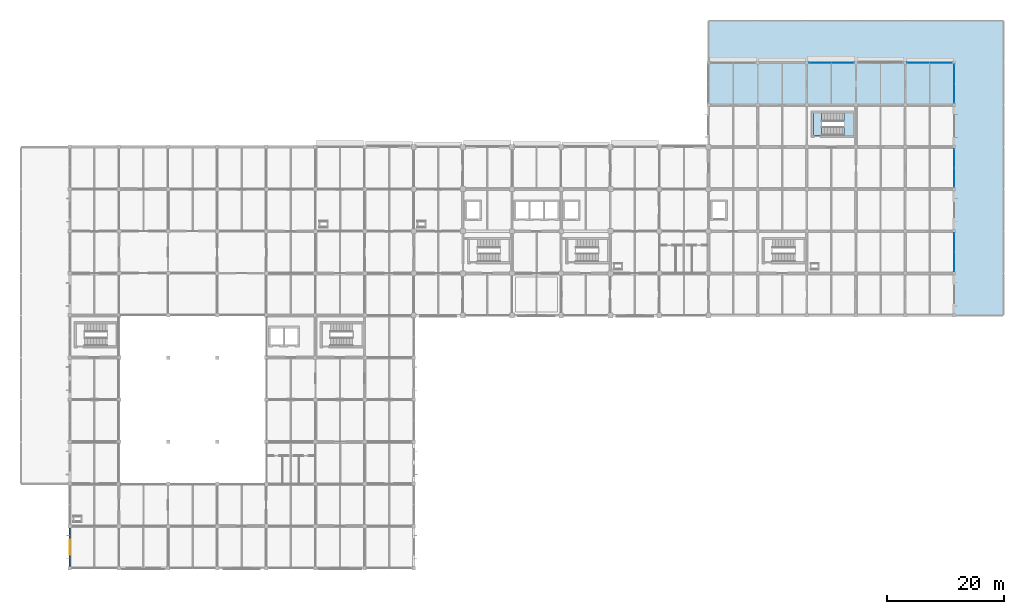
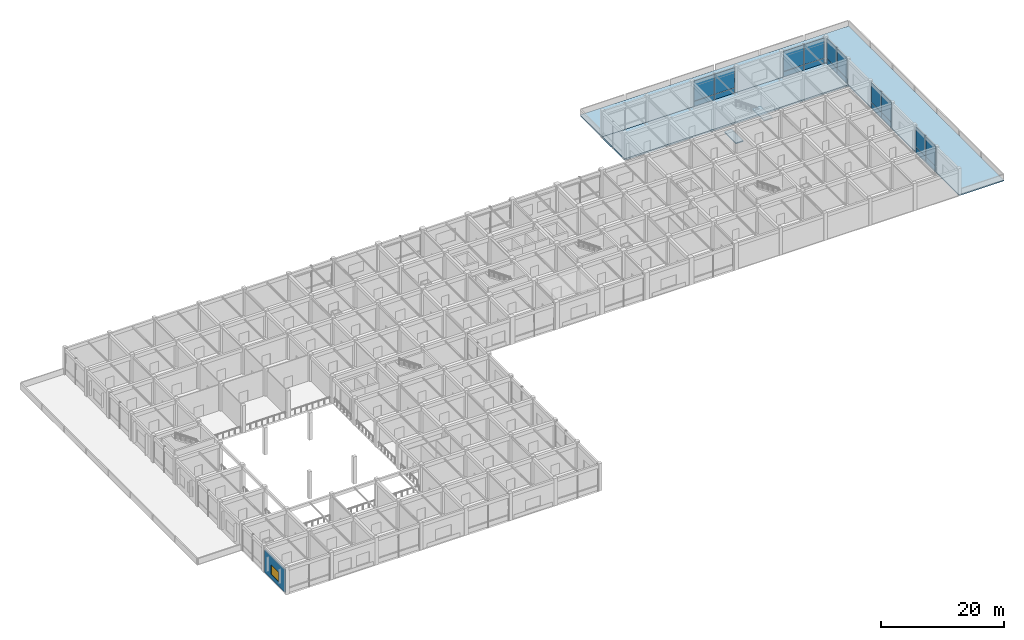
# One storey, part 18 of 38: 20 plates, 4 slabs, 1 wall, 1 window, 1 opening, 6 elements without a shape of their own.
"""IFC4 building model written with IfcOpenShell, lengths in metres."""

import ifcopenshell
import ifcopenshell.guid

model = None  # the IFC model being written
_history = None  # IfcOwnerHistory: only IFC2X3 demands one
_inside = {}  # id of a spatial element -> (the spatial element, [elements in it])
_under = {}  # id of a project, library or spatial element -> (it, [spatial elements below it])
_declared = {}  # id of a project -> (the project, [libraries it declares])
_typed = {}  # id of a type object -> (the type object, [elements of that type])
_made_of = {}  # id of a material, layer set ... -> (it, [elements and type objects made of it])


def new_model(schema):
    """Start an empty IFC model of exactly this schema.

    Asked for "IFC4X3", IfcOpenShell would pick the latest addendum, in which some entities
    have other attributes; the version numbers below select the first issue.
    IFC2X3 requires an IfcOwnerHistory on every rooted entity: one is made here for all.
    """
    global model, _history
    if schema == "IFC4X3":
        model = ifcopenshell.file(schema_version=(4, 3, 0, 0))
    else:
        model = ifcopenshell.file(schema=schema)
    _inside.clear()
    _under.clear()
    _declared.clear()
    _typed.clear()
    _made_of.clear()
    _history = None
    if model.schema == "IFC2X3":
        org = make("IfcOrganization", Name="unknown")
        user = make(
            "IfcPersonAndOrganization",
            ThePerson=make("IfcPerson", FamilyName="unknown"),
            TheOrganization=org,
        )
        app = make(
            "IfcApplication",
            ApplicationDeveloper=org,
            Version="unknown",
            ApplicationFullName="unknown",
            ApplicationIdentifier="unknown",
        )
        _history = make(
            "IfcOwnerHistory",
            OwningUser=user,
            OwningApplication=app,
            ChangeAction="ADDED",
            CreationDate=0,
        )
    return model


def make(cls, **values):
    """One entity of the class cls with the attributes given. An attribute that is None is left unset."""
    return model.create_entity(
        cls, **{name: value for name, value in values.items() if value is not None}
    )


def rooted(cls, **values):
    """An entity with a GlobalId (a new one), such as an element, a storey or a relation."""
    return make(cls, GlobalId=ifcopenshell.guid.new(), OwnerHistory=_history, **values)


def si_unit(unit_type, name, prefix=None):
    """IfcSIUnit, for example si_unit("LENGTHUNIT", "METRE", prefix="MILLI")."""
    return make("IfcSIUnit", UnitType=unit_type, Prefix=prefix, Name=name)


def derived_unit(unit_type, elements):
    """IfcDerivedUnit: a product of units, each with its exponent."""
    return make(
        "IfcDerivedUnit",
        Elements=[
            make("IfcDerivedUnitElement", Unit=unit, Exponent=power)
            for unit, power in elements
        ],
        UnitType=unit_type,
    )


def assignment(units):
    """IfcUnitAssignment: the units of a project."""
    return None if units is None else make("IfcUnitAssignment", Units=units)


def point(xyz):
    """IfcCartesianPoint."""
    return None if xyz is None else make("IfcCartesianPoint", Coordinates=xyz)


def direction(xyz):
    """IfcDirection."""
    return None if xyz is None else make("IfcDirection", DirectionRatios=xyz)


def frame(location, z_axis=None, x_axis=None):
    """IfcAxis2Placement3D, a coordinate frame: its origin and axes. An axis left out is left unset."""
    return make(
        "IfcAxis2Placement3D",
        Location=point(location),
        Axis=direction(z_axis),
        RefDirection=direction(x_axis),
    )


def frame_2d(location, x_axis=None):
    """IfcAxis2Placement2D, a coordinate frame in the plane: its origin and x axis."""
    return make(
        "IfcAxis2Placement2D", Location=point(location), RefDirection=direction(x_axis)
    )


def origin():
    """The frame at (0, 0, 0) with its axes left unset."""
    return frame((0.0, 0.0, 0.0))


def origin_2d():
    """The frame at (0, 0) in the plane with its x axis left unset."""
    return frame_2d((0.0, 0.0))


def place(relative_to, where):
    """IfcLocalPlacement: puts the frame where relative to a parent placement (None: the world)."""
    return make(
        "IfcLocalPlacement", PlacementRelTo=relative_to, RelativePlacement=where
    )


def context(
    kind, dimensions, precision=None, world=None, true_north=None, identifier=None
):
    """IfcGeometricRepresentationContext, for example the 3D "Model" context."""
    return make(
        "IfcGeometricRepresentationContext",
        ContextIdentifier=identifier,
        ContextType=kind,
        CoordinateSpaceDimension=dimensions,
        Precision=precision,
        WorldCoordinateSystem=world,
        TrueNorth=true_north,
    )


def subcontext(parent, identifier, kind, view, scale=None):
    """IfcGeometricRepresentationSubContext, for example "Body" below "Model"."""
    return make(
        "IfcGeometricRepresentationSubContext",
        ContextIdentifier=identifier,
        ContextType=kind,
        ParentContext=parent,
        TargetScale=scale,
        TargetView=view,
    )


def project(units=None, contexts=None):
    """IfcProject with its units and contexts."""
    return rooted(
        "IfcProject",
        Name="project",
        RepresentationContexts=contexts,
        UnitsInContext=assignment(units),
    )


def spatial(cls, under=None, at=None, **own):
    """A site, building, storey or space (cls), placed at a placement, below another one or the project."""
    s = rooted(cls, ObjectPlacement=at, **own)
    if under is not None:
        _under.setdefault(under.id(), (under, []))[1].append(s)
    return s


def polyline(points):
    """IfcPolyline through the points."""
    return make("IfcPolyline", Points=[point(p) for p in points])


def profile(cls, at=None, kind="AREA", **sizes):
    """A parametric profile (cls). Its sizes go by their IFC names, for example OverallWidth=200.0."""
    return make(cls, ProfileType=kind, Position=at, **sizes)


def rectangle(**sizes):
    """IfcRectangleProfileDef."""
    return profile("IfcRectangleProfileDef", **sizes)


def outline(outer, holes=None, kind="AREA"):
    """IfcArbitraryClosedProfileDef: a profile drawn as a closed curve; with holes, ...WithVoids."""
    if holes is None:
        return make("IfcArbitraryClosedProfileDef", ProfileType=kind, OuterCurve=outer)
    return make(
        "IfcArbitraryProfileDefWithVoids",
        ProfileType=kind,
        OuterCurve=outer,
        InnerCurves=holes,
    )


def extrude(swept, where, along, depth):
    """IfcExtrudedAreaSolid: the profile swept, set in the frame where, extruded along a direction by depth."""
    return make(
        "IfcExtrudedAreaSolid",
        SweptArea=swept,
        Position=where,
        ExtrudedDirection=direction(along),
        Depth=depth,
    )


def shape(context_of_items, identifier, shape_type, items):
    """IfcShapeRepresentation: the items that make up one representation, for example the "Body"."""
    return make(
        "IfcShapeRepresentation",
        ContextOfItems=context_of_items,
        RepresentationIdentifier=identifier,
        RepresentationType=shape_type,
        Items=items,
    )


def material(Name=None, Category=None):
    """IfcMaterial."""
    return make("IfcMaterial", Name=Name, Category=Category)


def layer(
    of_material, thickness, ventilated=None, Name=None, Category=None, Priority=None
):
    """IfcMaterialLayer: one layer of a wall or slab, of a material (None: an air gap)."""
    return make(
        "IfcMaterialLayer",
        Material=of_material,
        LayerThickness=thickness,
        IsVentilated=ventilated,
        Name=Name,
        Category=Category,
        Priority=Priority,
    )


def layer_set(layers, Name=None):
    """IfcMaterialLayerSet."""
    return make("IfcMaterialLayerSet", MaterialLayers=layers, LayerSetName=Name)


def made_of(thing, what):
    """Note that an element or type object is made of a material, layer set ...; save() writes the relation."""
    if what is not None:
        _made_of.setdefault(what.id(), (what, []))[1].append(thing)
    return thing


def type_object(cls, material=None, **own):
    """A type object (cls), such as IfcWallType, which elements share."""
    return made_of(rooted(cls, **own), material)


def element(
    cls,
    number,
    at=None,
    inside=None,
    cuts=None,
    type_object=None,
    material=None,
    context=None,
    identifier="Body",
    shape_type=None,
    held_by="IfcProductDefinitionShape",
    body=None,
    shapes=None,
    **own,
):
    """One element of the class cls, such as IfcWall. Its Tag is "e" and its number.

    at: its placement. inside: the storey or other place that contains it. cuts: it is an
    opening in that element (IfcRelVoidsElement). A single representation is given by context,
    identifier, shape_type and body (its items); several are given by shapes. held_by: the class
    of the entity that holds the representations. save() writes the other relations.
    """
    e = rooted(cls, Tag="e%d" % number, ObjectPlacement=at, **own)
    if body is not None:
        shapes = [shape(context, identifier, shape_type, body)]
    if shapes is not None:
        e.Representation = make(held_by, Representations=shapes)
    if inside is not None:
        _inside.setdefault(inside.id(), (inside, []))[1].append(e)
    if cuts is not None:
        rooted(
            "IfcRelVoidsElement", RelatingBuildingElement=cuts, RelatedOpeningElement=e
        )
    if type_object is not None:
        _typed.setdefault(type_object.id(), (type_object, []))[1].append(e)
    return made_of(e, material)


def fill(opening, filler):
    """IfcRelFillsElement: the door or window that sits in an opening."""
    return rooted(
        "IfcRelFillsElement",
        RelatingOpeningElement=opening,
        RelatedBuildingElement=filler,
    )


def aggregate(whole, parts):
    """IfcRelAggregates: a whole, such as a stair, and the parts it consists of."""
    return rooted("IfcRelAggregates", RelatingObject=whole, RelatedObjects=parts)


def save(model, path):
    """Write the relations noted so far, then the file.

    IfcRelAggregates (storeys below a building ...), IfcRelContainedInSpatialStructure (elements
    in a storey), IfcRelDefinesByType, IfcRelAssociatesMaterial and IfcRelDeclares: one each for
    every whole, place, type object, material and project.
    """
    for whole, parts in _under.values():
        aggregate(whole, parts)
    for where, things in _inside.values():
        rooted(
            "IfcRelContainedInSpatialStructure",
            RelatedElements=things,
            RelatingStructure=where,
        )
    for kind, things in _typed.values():
        rooted("IfcRelDefinesByType", RelatedObjects=things, RelatingType=kind)
    for what, things in _made_of.values():
        rooted("IfcRelAssociatesMaterial", RelatedObjects=things, RelatingMaterial=what)
    for by, libraries in _declared.values():
        rooted("IfcRelDeclares", RelatingContext=by, RelatedDefinitions=libraries)
    model.write(path)


model = new_model("IFC4")

# Units and contexts
model_context = context("Model", 3, precision=1e-05, world=origin(), true_north=direction((0.0, 1.0)))
body_context = subcontext(model_context, "Body", "Model", "MODEL_VIEW")
ifc_project = project(units=[si_unit("LENGTHUNIT", "METRE"), si_unit("AREAUNIT", "SQUARE_METRE"), si_unit("VOLUMEUNIT", "CUBIC_METRE"), si_unit("PLANEANGLEUNIT", "RADIAN"), si_unit("MASSUNIT", "GRAM", prefix="KILO"), derived_unit("THERMALTRANSMITTANCEUNIT", [(si_unit("MASSUNIT", "GRAM", prefix="KILO"), 1), (si_unit("TIMEUNIT", "SECOND"), -3), (si_unit("THERMODYNAMICTEMPERATUREUNIT", "KELVIN"), -1)])], contexts=[model_context])

# Site, building, storey
site_placement = place(None, origin())
site = spatial("IfcSite", under=ifc_project, at=site_placement, CompositionType="ELEMENT")
building_placement = place(site_placement, origin())
building = spatial("IfcBuilding", under=site, at=building_placement, Name="Veldstrom Oceanarium and Marine Research Institute", CompositionType="ELEMENT")
storey_placement = place(building_placement, frame((0.0, 0.0, 11.39990234375)))
storey = spatial("IfcBuildingStorey", under=building, at=storey_placement, Name="L02", CompositionType="ELEMENT", Elevation=11.39990234375)

# Curtain wall, plates
ifc_material_1 = material(Name="Anodised Aluminium Framing", Category="aluminium")
curtain_wall_type_1 = type_object("IfcCurtainWallType", Name="ARC-CW-CW02", PredefinedType="USERDEFINED", material=ifc_material_1)
curtain_wall_1_placement = place(storey_placement, origin())
curtain_wall_1 = element("IfcCurtainWall", 1, at=curtain_wall_1_placement, inside=storey, type_object=curtain_wall_type_1, Name="Curtain Wall CW02 CW-L02-038", ObjectType="Curtain wall", PredefinedType="USERDEFINED")
ifc_material_2 = material(Name="Insulated Aluminium Spandrel", Category="aluminium")
ifc_layer_1 = layer(ifc_material_2, 0.044921875)
ifc_layer_set_1 = layer_set([ifc_layer_1], Name="ARC-PLT-CP02")
plate_type_1 = type_object("IfcPlateType", Name="ARC-PLT-CP02", PredefinedType="CURTAIN_PANEL", material=ifc_layer_set_1)
plate_1_placement = place(storey_placement, frame((136.669921875, 86.39990234375, 0.02001953125), z_axis=(0.0, 0.0, 1.0), x_axis=(1.0, 0.0, 0.0)))
plate_1 = element("IfcPlate", 2, at=plate_1_placement, type_object=plate_type_1, Name="Curtain Spandrel Panel CW-L02-038-PNL-S1", PredefinedType="CURTAIN_PANEL", context=body_context, shape_type="SweptSolid", body=[
    extrude(rectangle(XDim=3.780029296875, YDim=0.044921875, at=origin_2d()), origin(), (0.0, 0.0, 1.0), 0.989990234375),
])
plate_2_placement = place(storey_placement, frame((140.530029296875, 86.39990234375, 0.02001953125), z_axis=(0.0, 0.0, 1.0), x_axis=(1.0, 0.0, 0.0)))
plate_2 = element("IfcPlate", 3, at=plate_2_placement, type_object=plate_type_1, Name="Curtain Spandrel Panel CW-L02-038-PNL-S2", PredefinedType="CURTAIN_PANEL", context=body_context, shape_type="SweptSolid", body=[
    extrude(rectangle(XDim=3.780029296875, YDim=0.044921875, at=origin_2d()), origin(), (0.0, 0.0, 1.0), 0.989990234375),
])

curtain_wall_2_placement = place(storey_placement, origin())
curtain_wall_2 = element("IfcCurtainWall", 4, at=curtain_wall_2_placement, inside=storey, type_object=curtain_wall_type_1, Name="Curtain Wall CW02 CW-L02-041", ObjectType="Curtain wall", PredefinedType="USERDEFINED")
plate_3_placement = place(storey_placement, frame((153.469970703125, 86.39990234375, 0.02001953125), z_axis=(0.0, 0.0, 1.0), x_axis=(1.0, 0.0, 0.0)))
plate_3 = element("IfcPlate", 5, at=plate_3_placement, type_object=plate_type_1, Name="Curtain Spandrel Panel CW-L02-041-PNL-S1", PredefinedType="CURTAIN_PANEL", context=body_context, shape_type="SweptSolid", body=[
    extrude(rectangle(XDim=3.780029296875, YDim=0.044921875, at=origin_2d()), origin(), (0.0, 0.0, 1.0), 0.989990234375),
])
plate_4_placement = place(storey_placement, frame((157.330078125, 86.39990234375, 0.02001953125), z_axis=(0.0, 0.0, 1.0), x_axis=(1.0, 0.0, 0.0)))
plate_4 = element("IfcPlate", 6, at=plate_4_placement, type_object=plate_type_1, Name="Curtain Spandrel Panel CW-L02-041-PNL-S2", PredefinedType="CURTAIN_PANEL", context=body_context, shape_type="SweptSolid", body=[
    extrude(rectangle(XDim=3.780029296875, YDim=0.044921875, at=origin_2d()), origin(), (0.0, 0.0, 1.0), 0.989990234375),
])

ifc_material_3 = material(Name="Anodised Aluminium Framing", Category="aluminium")
curtain_wall_type_2 = type_object("IfcCurtainWallType", Name="ARC-CW-CW06", PredefinedType="USERDEFINED", material=ifc_material_3)
curtain_wall_3_placement = place(storey_placement, origin())
curtain_wall_3 = element("IfcCurtainWall", 7, at=curtain_wall_3_placement, inside=storey, type_object=curtain_wall_type_2, Name="Curtain Wall CW06 CW-L02-039", ObjectType="Curtain wall", PredefinedType="USERDEFINED")
ifc_material_4 = material(Name="Insulated Aluminium Spandrel", Category="aluminium")
ifc_layer_2 = layer(ifc_material_4, 0.044921875)
ifc_layer_set_2 = layer_set([ifc_layer_2], Name="ARC-PLT-CP06")
plate_type_2 = type_object("IfcPlateType", Name="ARC-PLT-CP06", PredefinedType="CURTAIN_PANEL", material=ifc_layer_set_2)
plate_5_placement = place(storey_placement, frame((159.60009765625, 52.3701171875, 0.02001953125), z_axis=(0.0, 0.0, 1.0), x_axis=(0.0, 1.0, 0.0)))
plate_5 = element("IfcPlate", 8, at=plate_5_placement, type_object=plate_type_2, Name="Curtain Spandrel Panel CW-L02-039-PNL-S1", PredefinedType="CURTAIN_PANEL", context=body_context, shape_type="SweptSolid", body=[
    extrude(rectangle(XDim=3.179931640625, YDim=0.044921875, at=origin_2d()), origin(), (0.0, 0.0, 1.0), 0.989990234375),
])
plate_6_placement = place(storey_placement, frame((159.60009765625, 55.6298828125, 0.02001953125), z_axis=(0.0, 0.0, 1.0), x_axis=(0.0, 1.0, 0.0)))
plate_6 = element("IfcPlate", 9, at=plate_6_placement, type_object=plate_type_2, Name="Curtain Spandrel Panel CW-L02-039-PNL-S2", PredefinedType="CURTAIN_PANEL", context=body_context, shape_type="SweptSolid", body=[
    extrude(rectangle(XDim=3.179931640625, YDim=0.044921875, at=origin_2d()), origin(), (0.0, 0.0, 1.0), 0.989990234375),
])

curtain_wall_4_placement = place(storey_placement, origin())
curtain_wall_4 = element("IfcCurtainWall", 10, at=curtain_wall_4_placement, inside=storey, type_object=curtain_wall_type_2, Name="Curtain Wall CW06 CW-L02-040", ObjectType="Curtain wall", PredefinedType="USERDEFINED")
plate_7_placement = place(storey_placement, frame((159.60009765625, 66.77001953125, 0.02001953125), z_axis=(0.0, 0.0, 1.0), x_axis=(0.0, 1.0, 0.0)))
plate_7 = element("IfcPlate", 11, at=plate_7_placement, type_object=plate_type_2, Name="Curtain Spandrel Panel CW-L02-040-PNL-S1", PredefinedType="CURTAIN_PANEL", context=body_context, shape_type="SweptSolid", body=[
    extrude(rectangle(XDim=3.179931640625, YDim=0.044921875, at=origin_2d()), origin(), (0.0, 0.0, 1.0), 0.989990234375),
])
plate_8_placement = place(storey_placement, frame((159.60009765625, 70.030029296875, 0.02001953125), z_axis=(0.0, 0.0, 1.0), x_axis=(0.0, 1.0, 0.0)))
plate_8 = element("IfcPlate", 12, at=plate_8_placement, type_object=plate_type_2, Name="Curtain Spandrel Panel CW-L02-040-PNL-S2", PredefinedType="CURTAIN_PANEL", context=body_context, shape_type="SweptSolid", body=[
    extrude(rectangle(XDim=3.179931640625, YDim=0.044921875, at=origin_2d()), origin(), (0.0, 0.0, 1.0), 0.989990234375),
])

curtain_wall_5_placement = place(storey_placement, origin())
curtain_wall_5 = element("IfcCurtainWall", 13, at=curtain_wall_5_placement, inside=storey, type_object=curtain_wall_type_2, Name="Curtain Wall CW06 CW-L02-042", ObjectType="Curtain wall", PredefinedType="USERDEFINED")
plate_9_placement = place(storey_placement, frame((159.60009765625, 81.169921875, 0.02001953125), z_axis=(0.0, 0.0, 1.0), x_axis=(0.0, 1.0, 0.0)))
plate_9 = element("IfcPlate", 14, at=plate_9_placement, type_object=plate_type_2, Name="Curtain Spandrel Panel CW-L02-042-PNL-S1", PredefinedType="CURTAIN_PANEL", context=body_context, shape_type="SweptSolid", body=[
    extrude(rectangle(XDim=3.179931640625, YDim=0.044921875, at=origin_2d()), origin(), (0.0, 0.0, 1.0), 0.989990234375),
])
plate_10_placement = place(storey_placement, frame((159.60009765625, 84.429931640625, 0.02001953125), z_axis=(0.0, 0.0, 1.0), x_axis=(0.0, 1.0, 0.0)))
plate_10 = element("IfcPlate", 15, at=plate_10_placement, type_object=plate_type_2, Name="Curtain Spandrel Panel CW-L02-042-PNL-S2", PredefinedType="CURTAIN_PANEL", context=body_context, shape_type="SweptSolid", body=[
    extrude(rectangle(XDim=3.179931640625, YDim=0.044921875, at=origin_2d()), origin(), (0.0, 0.0, 1.0), 0.989990234375),
])

# Plate
ifc_material_5 = material(Name="Double Glazed Low-E IGU", Category="glass")
ifc_layer_3 = layer(ifc_material_5, 0.035888671875)
ifc_layer_set_3 = layer_set([ifc_layer_3], Name="ARC-PLT-CP09")
plate_type_3 = type_object("IfcPlateType", Name="ARC-PLT-CP09", PredefinedType="CURTAIN_PANEL", material=ifc_layer_set_3)
plate_11_placement = place(storey_placement, frame((136.669921875, 86.39990234375, 1.09033203125), z_axis=(0.0, 0.0, 1.0), x_axis=(1.0, 0.0, 0.0)))
plate_11 = element("IfcPlate", 16, at=plate_11_placement, type_object=plate_type_3, Name="Curtain Vision Panel CW-L02-038-PNL-V1", PredefinedType="CURTAIN_PANEL", context=body_context, shape_type="SweptSolid", body=[
    extrude(rectangle(XDim=3.780029296875, YDim=0.035888671875, at=origin_2d()), origin(), (0.0, 0.0, 1.0), 3.989990234375),
])

plate_12_placement = place(storey_placement, frame((140.530029296875, 86.39990234375, 1.09033203125), z_axis=(0.0, 0.0, 1.0), x_axis=(1.0, 0.0, 0.0)))
plate_12 = element("IfcPlate", 17, at=plate_12_placement, type_object=plate_type_3, Name="Curtain Vision Panel CW-L02-038-PNL-V2", PredefinedType="CURTAIN_PANEL", context=body_context, shape_type="SweptSolid", body=[
    extrude(rectangle(XDim=3.780029296875, YDim=0.035888671875, at=origin_2d()), origin(), (0.0, 0.0, 1.0), 3.989990234375),
])

aggregate(curtain_wall_1, [plate_1, plate_11, plate_2, plate_12])

plate_13_placement = place(storey_placement, frame((153.469970703125, 86.39990234375, 1.09033203125), z_axis=(0.0, 0.0, 1.0), x_axis=(1.0, 0.0, 0.0)))
plate_13 = element("IfcPlate", 18, at=plate_13_placement, type_object=plate_type_3, Name="Curtain Vision Panel CW-L02-041-PNL-V1", PredefinedType="CURTAIN_PANEL", context=body_context, shape_type="SweptSolid", body=[
    extrude(rectangle(XDim=3.780029296875, YDim=0.035888671875, at=origin_2d()), origin(), (0.0, 0.0, 1.0), 3.989990234375),
])

plate_14_placement = place(storey_placement, frame((157.330078125, 86.39990234375, 1.09033203125), z_axis=(0.0, 0.0, 1.0), x_axis=(1.0, 0.0, 0.0)))
plate_14 = element("IfcPlate", 19, at=plate_14_placement, type_object=plate_type_3, Name="Curtain Vision Panel CW-L02-041-PNL-V2", PredefinedType="CURTAIN_PANEL", context=body_context, shape_type="SweptSolid", body=[
    extrude(rectangle(XDim=3.780029296875, YDim=0.035888671875, at=origin_2d()), origin(), (0.0, 0.0, 1.0), 3.989990234375),
])

aggregate(curtain_wall_2, [plate_3, plate_13, plate_4, plate_14])

ifc_material_6 = material(Name="Double Glazed Low-E IGU", Category="glass")
ifc_layer_4 = layer(ifc_material_6, 0.035888671875)
ifc_layer_set_4 = layer_set([ifc_layer_4], Name="ARC-PLT-CP10")
plate_type_4 = type_object("IfcPlateType", Name="ARC-PLT-CP10", PredefinedType="CURTAIN_PANEL", material=ifc_layer_set_4)
plate_15_placement = place(storey_placement, frame((159.60009765625, 52.3701171875, 1.09033203125), z_axis=(0.0, 0.0, 1.0), x_axis=(0.0, 1.0, 0.0)))
plate_15 = element("IfcPlate", 20, at=plate_15_placement, type_object=plate_type_4, Name="Curtain Vision Panel CW-L02-039-PNL-V1", PredefinedType="CURTAIN_PANEL", context=body_context, shape_type="SweptSolid", body=[
    extrude(rectangle(XDim=3.179931640625, YDim=0.035888671875, at=origin_2d()), origin(), (0.0, 0.0, 1.0), 3.989990234375),
])

plate_16_placement = place(storey_placement, frame((159.60009765625, 55.6298828125, 1.09033203125), z_axis=(0.0, 0.0, 1.0), x_axis=(0.0, 1.0, 0.0)))
plate_16 = element("IfcPlate", 21, at=plate_16_placement, type_object=plate_type_4, Name="Curtain Vision Panel CW-L02-039-PNL-V2", PredefinedType="CURTAIN_PANEL", context=body_context, shape_type="SweptSolid", body=[
    extrude(rectangle(XDim=3.179931640625, YDim=0.035888671875, at=origin_2d()), origin(), (0.0, 0.0, 1.0), 3.989990234375),
])

aggregate(curtain_wall_3, [plate_5, plate_15, plate_6, plate_16])

plate_17_placement = place(storey_placement, frame((159.60009765625, 66.77001953125, 1.09033203125), z_axis=(0.0, 0.0, 1.0), x_axis=(0.0, 1.0, 0.0)))
plate_17 = element("IfcPlate", 22, at=plate_17_placement, type_object=plate_type_4, Name="Curtain Vision Panel CW-L02-040-PNL-V1", PredefinedType="CURTAIN_PANEL", context=body_context, shape_type="SweptSolid", body=[
    extrude(rectangle(XDim=3.179931640625, YDim=0.035888671875, at=origin_2d()), origin(), (0.0, 0.0, 1.0), 3.989990234375),
])

plate_18_placement = place(storey_placement, frame((159.60009765625, 70.030029296875, 1.09033203125), z_axis=(0.0, 0.0, 1.0), x_axis=(0.0, 1.0, 0.0)))
plate_18 = element("IfcPlate", 23, at=plate_18_placement, type_object=plate_type_4, Name="Curtain Vision Panel CW-L02-040-PNL-V2", PredefinedType="CURTAIN_PANEL", context=body_context, shape_type="SweptSolid", body=[
    extrude(rectangle(XDim=3.179931640625, YDim=0.035888671875, at=origin_2d()), origin(), (0.0, 0.0, 1.0), 3.989990234375),
])

aggregate(curtain_wall_4, [plate_7, plate_17, plate_8, plate_18])

plate_19_placement = place(storey_placement, frame((159.60009765625, 81.169921875, 1.09033203125), z_axis=(0.0, 0.0, 1.0), x_axis=(0.0, 1.0, 0.0)))
plate_19 = element("IfcPlate", 24, at=plate_19_placement, type_object=plate_type_4, Name="Curtain Vision Panel CW-L02-042-PNL-V1", PredefinedType="CURTAIN_PANEL", context=body_context, shape_type="SweptSolid", body=[
    extrude(rectangle(XDim=3.179931640625, YDim=0.035888671875, at=origin_2d()), origin(), (0.0, 0.0, 1.0), 3.989990234375),
])

plate_20_placement = place(storey_placement, frame((159.60009765625, 84.429931640625, 1.09033203125), z_axis=(0.0, 0.0, 1.0), x_axis=(0.0, 1.0, 0.0)))
plate_20 = element("IfcPlate", 25, at=plate_20_placement, type_object=plate_type_4, Name="Curtain Vision Panel CW-L02-042-PNL-V2", PredefinedType="CURTAIN_PANEL", context=body_context, shape_type="SweptSolid", body=[
    extrude(rectangle(XDim=3.179931640625, YDim=0.035888671875, at=origin_2d()), origin(), (0.0, 0.0, 1.0), 3.989990234375),
])

aggregate(curtain_wall_5, [plate_9, plate_19, plate_10, plate_20])

# Slab
ifc_material_7 = material(Name="Concrete C40/50", Category="concrete")
ifc_layer_5 = layer(ifc_material_7, 0.324951171875)
ifc_layer_set_5 = layer_set([ifc_layer_5], Name="STR-SLB-FL0325")
slab_type_1 = type_object("IfcSlabType", Name="STR-SLB-FL0325", PredefinedType="FLOOR", material=ifc_layer_set_5)
slab_1_placement = place(storey_placement, frame((0.0, 0.0, -0.324951171875)))
element("IfcSlab", 26, at=slab_1_placement, inside=storey, type_object=slab_type_1, Name="Slab SF-325 L02 EN", PredefinedType="FLOOR", context=body_context, shape_type="SweptSolid", body=[
    extrude(outline(polyline([(134.39990234375, 86.39990234375), (142.800048828125, 86.39990234375), (151.199951171875, 86.39990234375), (159.60009765625, 86.39990234375), (159.60009765625, 79.199951171875), (151.199951171875, 79.199951171875), (142.800048828125, 79.199951171875), (134.39990234375, 79.199951171875), (126.0, 79.199951171875), (117.60009765625, 79.199951171875), (117.60009765625, 86.39990234375), (126.0, 86.39990234375), (134.39990234375, 86.39990234375)])), origin(), (0.0, 0.0, 1.0), 0.324951171875),
])

# Stair, slab
ifc_material_8 = material(Name="Concrete C40/50", Category="concrete")
stair_type = type_object("IfcStairType", Name="ARC-STR-ST-540", PredefinedType="TWO_STRAIGHT_RUN_STAIR", material=ifc_material_8)
stair_placement = place(storey_placement, origin())
stair = element("IfcStair", 27, at=stair_placement, inside=storey, type_object=stair_type, Name="Dog-Leg Escape Stair ST7-L02", PredefinedType="TWO_STRAIGHT_RUN_STAIR")
ifc_material_9 = material(Name="Concrete C40/50", Category="concrete")
ifc_layer_6 = layer(ifc_material_9, 0.179931640625)
ifc_layer_set_6 = layer_set([ifc_layer_6], Name="STR-SLB-LD180")
slab_type_2 = type_object("IfcSlabType", Name="STR-SLB-LD180", PredefinedType="LANDING", material=ifc_layer_set_6)
slab_2_placement = place(storey_placement, frame((0.0, 0.0, 2.52001953125)))
slab_2 = element("IfcSlab", 28, at=slab_2_placement, type_object=slab_type_2, Name="Stair Half-Landing ST7 L02", PredefinedType="LANDING", context=body_context, shape_type="SweptSolid", body=[
    extrude(outline(polyline([(140.764892578125, 74.0), (142.360107421875, 74.0), (142.360107421875, 77.800048828125), (140.764892578125, 77.800048828125), (140.764892578125, 74.0)])), origin(), (0.0, 0.0, 1.0), 0.18017578125),
])
aggregate(stair, [slab_2])

# Slabs
ifc_material_10 = material(Name="Concrete C40/50", Category="concrete")
ifc_layer_7 = layer(ifc_material_10, 0.199951171875)
ifc_layer_set_7 = layer_set([ifc_layer_7], Name="STR-SLB-LD200")
slab_type_3 = type_object("IfcSlabType", Name="STR-SLB-LD200", PredefinedType="LANDING", material=ifc_layer_set_7)
slab_3_placement = place(storey_placement, frame((0.0, 0.0, -0.199951171875)))
element("IfcSlab", 29, at=slab_3_placement, inside=storey, type_object=slab_type_3, Name="Stair Floor Landing ST7 L02", PredefinedType="LANDING", context=body_context, shape_type="SweptSolid", body=[
    extrude(outline(polyline([(135.52001953125, 74.0), (136.93994140625, 74.0), (136.93994140625, 77.800048828125), (135.52001953125, 77.800048828125), (135.52001953125, 74.0)])), origin(), (0.0, 0.0, 1.0), 0.199951171875),
])
ifc_material_11 = material(Name="Concrete C40/50", Category="concrete")
ifc_layer_8 = layer(ifc_material_11, 0.22509765625)
ifc_layer_set_8 = layer_set([ifc_layer_8], Name="STR-SLB-RF0225")
slab_type_4 = type_object("IfcSlabType", Name="STR-SLB-RF0225", PredefinedType="ROOF", material=ifc_layer_set_8)
slab_4_placement = place(storey_placement, frame((0.0, 0.0, -0.224853515625)))
element("IfcSlab", 30, at=slab_4_placement, inside=storey, type_object=slab_type_4, Name="Maintenance Roof Slab L01", PredefinedType="ROOF", context=body_context, shape_type="SweptSolid", body=[
    extrude(outline(polyline([(126.0, 86.39990234375), (117.60009765625, 86.39990234375), (117.60009765625, 93.60009765625), (126.0, 93.60009765625), (134.39990234375, 93.60009765625), (142.800048828125, 93.60009765625), (151.199951171875, 93.60009765625), (159.60009765625, 93.60009765625), (168.0, 93.60009765625), (168.0, 86.39990234375), (168.0, 79.199951171875), (168.0, 72.0), (168.0, 64.800048828125), (168.0, 57.60009765625), (168.0, 50.39990234375), (168.0, 43.199951171875), (159.60009765625, 43.199951171875), (159.60009765625, 50.39990234375), (159.60009765625, 57.60009765625), (159.60009765625, 64.800048828125), (159.60009765625, 72.0), (159.60009765625, 79.199951171875), (159.60009765625, 86.39990234375), (151.199951171875, 86.39990234375), (142.800048828125, 86.39990234375), (134.39990234375, 86.39990234375), (126.0, 86.39990234375)])), origin(), (0.0, 0.0, 1.0), 0.224853515625),
])

# Wall, opening, window
ifc_material_12 = material(Name="Masonry Cavity Wall", Category="masonry")
ifc_layer_9 = layer(ifc_material_12, 0.215087890625)
ifc_layer_set_9 = layer_set([ifc_layer_9], Name="ARC-WAL-EW6")
wall_type = type_object("IfcWallType", Name="ARC-WAL-EW6", PredefinedType="SOLIDWALL", material=ifc_layer_set_9)
wall_placement = place(storey_placement, frame((8.39990234375, 0.300048828125, 0.0), z_axis=(0.0, 0.0, 1.0), x_axis=(0.0, 1.0, 0.0)))
wall = element("IfcWall", 31, at=wall_placement, inside=storey, type_object=wall_type, Name="Exterior Facade Wall EW6 L02-115", PredefinedType="SOLIDWALL", context=body_context, shape_type="SweptSolid", body=[
    extrude(rectangle(XDim=6.599853515625, YDim=0.215087890625, at=frame_2d((3.2998046875, 0.0))), origin(), (0.0, 0.0, 1.0), 4.52001953125),
])
opening_placement = place(wall_placement, frame((2.02490234375, 0.0, 0.89990234375)))
opening = element("IfcOpeningElement", 32, at=opening_placement, cuts=wall, Name="Opening W20", PredefinedType="OPENING", context=body_context, shape_type="SweptSolid", body=[
    extrude(rectangle(XDim=2.550048828125, YDim=1.949951171875, at=frame_2d((1.27490234375, 0.97509765625))), frame((0.0, 0.117431640625, 0.0), z_axis=(0.0, -1.0, 0.0), x_axis=(1.0, 0.0, 0.0)), (0.0, 0.0, 1.0), 0.235107421875),
])
ifc_material_13 = material(Name="Double Glazed Low-E IGU", Category="glass")
window_type = type_object("IfcWindowType", Name="ARC-WIN-W20", PartitioningType="SINGLE_PANEL", PredefinedType="WINDOW", material=ifc_material_13)
window_placement = place(opening_placement, origin())
window = element("IfcWindow", 33, at=window_placement, inside=storey, type_object=window_type, Name="Facade Window W20 L02-0081", OverallHeight=1.949951171875, OverallWidth=2.550048828125, PartitioningType="SINGLE_PANEL", PredefinedType="WINDOW", context=body_context, shape_type="SweptSolid", body=[
    extrude(rectangle(XDim=2.550048828125, YDim=1.949951171875, at=frame_2d((1.27490234375, 0.97509765625))), frame((0.0, 0.030029296875, 0.0), z_axis=(0.0, -1.0, 0.0), x_axis=(1.0, 0.0, 0.0)), (0.0, 0.0, 1.0), 0.06005859375),
])
fill(opening, window)

save(model, "model.ifc")
